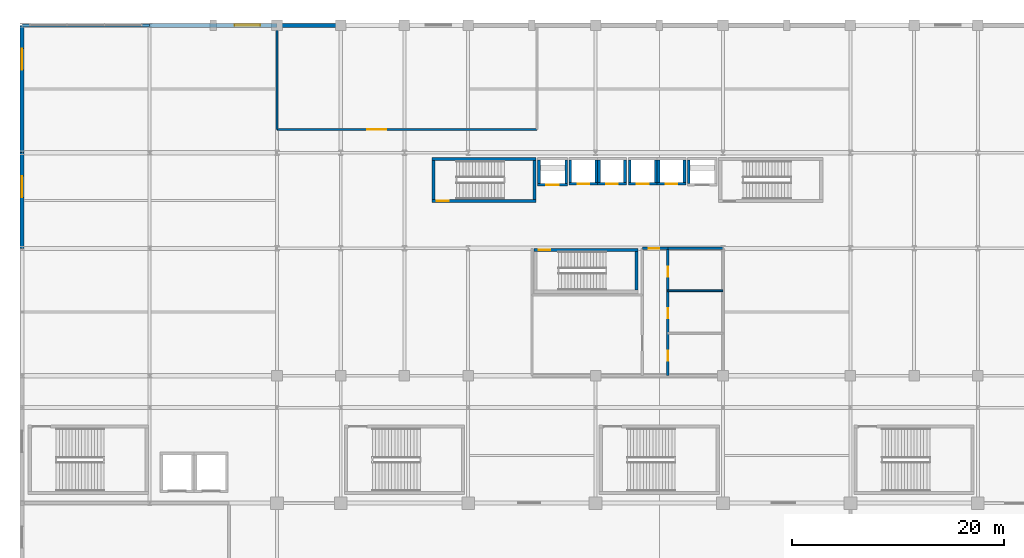
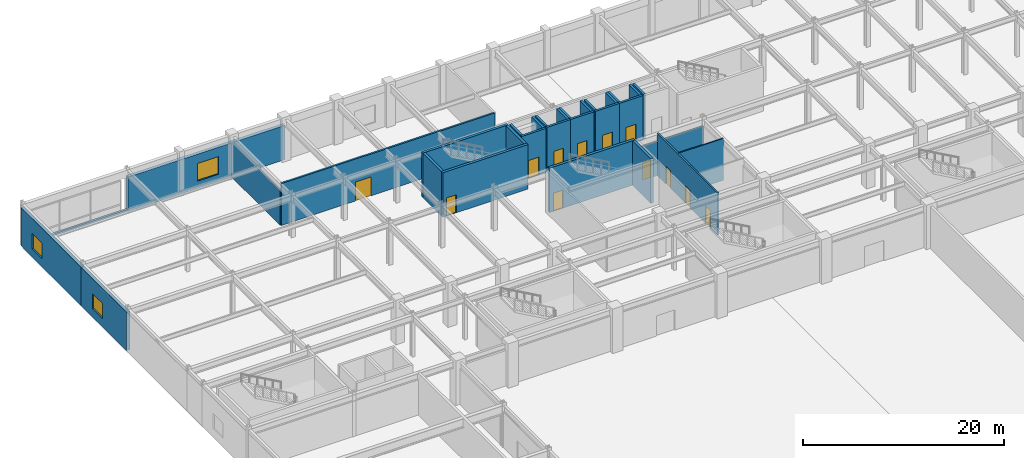
# One storey, part 84 of 100: 33 walls, 12 doors, 3 windows, 15 openings.
"""IFC4 building model written with IfcOpenShell, lengths in metres."""

import ifcopenshell
import ifcopenshell.guid

model = None  # the IFC model being written
_history = None  # IfcOwnerHistory: only IFC2X3 demands one
_inside = {}  # id of a spatial element -> (the spatial element, [elements in it])
_under = {}  # id of a project, library or spatial element -> (it, [spatial elements below it])
_declared = {}  # id of a project -> (the project, [libraries it declares])
_typed = {}  # id of a type object -> (the type object, [elements of that type])
_made_of = {}  # id of a material, layer set ... -> (it, [elements and type objects made of it])


def new_model(schema):
    """Start an empty IFC model of exactly this schema.

    Asked for "IFC4X3", IfcOpenShell would pick the latest addendum, in which some entities
    have other attributes; the version numbers below select the first issue.
    IFC2X3 requires an IfcOwnerHistory on every rooted entity: one is made here for all.
    """
    global model, _history
    if schema == "IFC4X3":
        model = ifcopenshell.file(schema_version=(4, 3, 0, 0))
    else:
        model = ifcopenshell.file(schema=schema)
    _inside.clear()
    _under.clear()
    _declared.clear()
    _typed.clear()
    _made_of.clear()
    _history = None
    if model.schema == "IFC2X3":
        org = make("IfcOrganization", Name="unknown")
        user = make(
            "IfcPersonAndOrganization",
            ThePerson=make("IfcPerson", FamilyName="unknown"),
            TheOrganization=org,
        )
        app = make(
            "IfcApplication",
            ApplicationDeveloper=org,
            Version="unknown",
            ApplicationFullName="unknown",
            ApplicationIdentifier="unknown",
        )
        _history = make(
            "IfcOwnerHistory",
            OwningUser=user,
            OwningApplication=app,
            ChangeAction="ADDED",
            CreationDate=0,
        )
    return model


def make(cls, **values):
    """One entity of the class cls with the attributes given. An attribute that is None is left unset."""
    return model.create_entity(
        cls, **{name: value for name, value in values.items() if value is not None}
    )


def rooted(cls, **values):
    """An entity with a GlobalId (a new one), such as an element, a storey or a relation."""
    return make(cls, GlobalId=ifcopenshell.guid.new(), OwnerHistory=_history, **values)


def si_unit(unit_type, name, prefix=None):
    """IfcSIUnit, for example si_unit("LENGTHUNIT", "METRE", prefix="MILLI")."""
    return make("IfcSIUnit", UnitType=unit_type, Prefix=prefix, Name=name)


def assignment(units):
    """IfcUnitAssignment: the units of a project."""
    return None if units is None else make("IfcUnitAssignment", Units=units)


def point(xyz):
    """IfcCartesianPoint."""
    return None if xyz is None else make("IfcCartesianPoint", Coordinates=xyz)


def direction(xyz):
    """IfcDirection."""
    return None if xyz is None else make("IfcDirection", DirectionRatios=xyz)


def frame(location, z_axis=None, x_axis=None):
    """IfcAxis2Placement3D, a coordinate frame: its origin and axes. An axis left out is left unset."""
    return make(
        "IfcAxis2Placement3D",
        Location=point(location),
        Axis=direction(z_axis),
        RefDirection=direction(x_axis),
    )


def frame_2d(location, x_axis=None):
    """IfcAxis2Placement2D, a coordinate frame in the plane: its origin and x axis."""
    return make(
        "IfcAxis2Placement2D", Location=point(location), RefDirection=direction(x_axis)
    )


def origin():
    """The frame at (0, 0, 0) with its axes left unset."""
    return frame((0.0, 0.0, 0.0))


def place(relative_to, where):
    """IfcLocalPlacement: puts the frame where relative to a parent placement (None: the world)."""
    return make(
        "IfcLocalPlacement", PlacementRelTo=relative_to, RelativePlacement=where
    )


def context(
    kind, dimensions, precision=None, world=None, true_north=None, identifier=None
):
    """IfcGeometricRepresentationContext, for example the 3D "Model" context."""
    return make(
        "IfcGeometricRepresentationContext",
        ContextIdentifier=identifier,
        ContextType=kind,
        CoordinateSpaceDimension=dimensions,
        Precision=precision,
        WorldCoordinateSystem=world,
        TrueNorth=true_north,
    )


def subcontext(parent, identifier, kind, view, scale=None):
    """IfcGeometricRepresentationSubContext, for example "Body" below "Model"."""
    return make(
        "IfcGeometricRepresentationSubContext",
        ContextIdentifier=identifier,
        ContextType=kind,
        ParentContext=parent,
        TargetScale=scale,
        TargetView=view,
    )


def project(units=None, contexts=None):
    """IfcProject with its units and contexts."""
    return rooted(
        "IfcProject",
        Name="project",
        RepresentationContexts=contexts,
        UnitsInContext=assignment(units),
    )


def spatial(cls, under=None, at=None, **own):
    """A site, building, storey or space (cls), placed at a placement, below another one or the project."""
    s = rooted(cls, ObjectPlacement=at, **own)
    if under is not None:
        _under.setdefault(under.id(), (under, []))[1].append(s)
    return s


def profile(cls, at=None, kind="AREA", **sizes):
    """A parametric profile (cls). Its sizes go by their IFC names, for example OverallWidth=200.0."""
    return make(cls, ProfileType=kind, Position=at, **sizes)


def rectangle(**sizes):
    """IfcRectangleProfileDef."""
    return profile("IfcRectangleProfileDef", **sizes)


def extrude(swept, where, along, depth):
    """IfcExtrudedAreaSolid: the profile swept, set in the frame where, extruded along a direction by depth."""
    return make(
        "IfcExtrudedAreaSolid",
        SweptArea=swept,
        Position=where,
        ExtrudedDirection=direction(along),
        Depth=depth,
    )


def shape(context_of_items, identifier, shape_type, items):
    """IfcShapeRepresentation: the items that make up one representation, for example the "Body"."""
    return make(
        "IfcShapeRepresentation",
        ContextOfItems=context_of_items,
        RepresentationIdentifier=identifier,
        RepresentationType=shape_type,
        Items=items,
    )


def material(Name=None, Category=None):
    """IfcMaterial."""
    return make("IfcMaterial", Name=Name, Category=Category)


def layer(
    of_material, thickness, ventilated=None, Name=None, Category=None, Priority=None
):
    """IfcMaterialLayer: one layer of a wall or slab, of a material (None: an air gap)."""
    return make(
        "IfcMaterialLayer",
        Material=of_material,
        LayerThickness=thickness,
        IsVentilated=ventilated,
        Name=Name,
        Category=Category,
        Priority=Priority,
    )


def layer_set(layers, Name=None):
    """IfcMaterialLayerSet."""
    return make("IfcMaterialLayerSet", MaterialLayers=layers, LayerSetName=Name)


def made_of(thing, what):
    """Note that an element or type object is made of a material, layer set ...; save() writes the relation."""
    if what is not None:
        _made_of.setdefault(what.id(), (what, []))[1].append(thing)
    return thing


def type_object(cls, material=None, **own):
    """A type object (cls), such as IfcWallType, which elements share."""
    return made_of(rooted(cls, **own), material)


def element(
    cls,
    number,
    at=None,
    inside=None,
    cuts=None,
    type_object=None,
    material=None,
    context=None,
    identifier="Body",
    shape_type=None,
    held_by="IfcProductDefinitionShape",
    body=None,
    shapes=None,
    **own,
):
    """One element of the class cls, such as IfcWall. Its Tag is "e" and its number.

    at: its placement. inside: the storey or other place that contains it. cuts: it is an
    opening in that element (IfcRelVoidsElement). A single representation is given by context,
    identifier, shape_type and body (its items); several are given by shapes. held_by: the class
    of the entity that holds the representations. save() writes the other relations.
    """
    e = rooted(cls, Tag="e%d" % number, ObjectPlacement=at, **own)
    if body is not None:
        shapes = [shape(context, identifier, shape_type, body)]
    if shapes is not None:
        e.Representation = make(held_by, Representations=shapes)
    if inside is not None:
        _inside.setdefault(inside.id(), (inside, []))[1].append(e)
    if cuts is not None:
        rooted(
            "IfcRelVoidsElement", RelatingBuildingElement=cuts, RelatedOpeningElement=e
        )
    if type_object is not None:
        _typed.setdefault(type_object.id(), (type_object, []))[1].append(e)
    return made_of(e, material)


def fill(opening, filler):
    """IfcRelFillsElement: the door or window that sits in an opening."""
    return rooted(
        "IfcRelFillsElement",
        RelatingOpeningElement=opening,
        RelatedBuildingElement=filler,
    )


def aggregate(whole, parts):
    """IfcRelAggregates: a whole, such as a stair, and the parts it consists of."""
    return rooted("IfcRelAggregates", RelatingObject=whole, RelatedObjects=parts)


def save(model, path):
    """Write the relations noted so far, then the file.

    IfcRelAggregates (storeys below a building ...), IfcRelContainedInSpatialStructure (elements
    in a storey), IfcRelDefinesByType, IfcRelAssociatesMaterial and IfcRelDeclares: one each for
    every whole, place, type object, material and project.
    """
    for whole, parts in _under.values():
        aggregate(whole, parts)
    for where, things in _inside.values():
        rooted(
            "IfcRelContainedInSpatialStructure",
            RelatedElements=things,
            RelatingStructure=where,
        )
    for kind, things in _typed.values():
        rooted("IfcRelDefinesByType", RelatedObjects=things, RelatingType=kind)
    for what, things in _made_of.values():
        rooted("IfcRelAssociatesMaterial", RelatedObjects=things, RelatingMaterial=what)
    for by, libraries in _declared.values():
        rooted("IfcRelDeclares", RelatingContext=by, RelatedDefinitions=libraries)
    model.write(path)


model = new_model("IFC4")

# Units and contexts
model_context = context("Model", 3, precision=1e-05, world=origin(), true_north=direction((0.0, 1.0)))
body_context = subcontext(model_context, "Body", "Model", "MODEL_VIEW")
ifc_project = project(units=[si_unit("LENGTHUNIT", "METRE"), si_unit("AREAUNIT", "SQUARE_METRE"), si_unit("VOLUMEUNIT", "CUBIC_METRE"), si_unit("PLANEANGLEUNIT", "RADIAN"), si_unit("MASSUNIT", "GRAM", prefix="KILO")], contexts=[model_context])

# Site, building, storey
site_placement = place(None, origin())
site = spatial("IfcSite", under=ifc_project, at=site_placement, CompositionType="ELEMENT")
building_placement = place(site_placement, origin())
building = spatial("IfcBuilding", under=site, at=building_placement, Name="Kaldorvane Square Convention Centre", CompositionType="ELEMENT")
storey_placement = place(building_placement, frame((0.0, 0.0, 18.0)))
storey = spatial("IfcBuildingStorey", under=building, at=storey_placement, Name="L03", CompositionType="ELEMENT", Elevation=18.0)

# Wall, opening, door
ifc_material_1 = material(Name="Fire-Rated Gypsum Board on Acoustic Steel Studs", Category="steel")
ifc_layer_1 = layer(ifc_material_1, 0.1999969482421875)
ifc_layer_set_1 = layer_set([ifc_layer_1], Name="Fire-Rated Gypsum Board on Acoustic Steel Studs")
wall_type_1 = type_object("IfcWallType", Name="WL-CORR-200", PredefinedType="PARTITIONING", material=ifc_layer_set_1)
wall_1_placement = place(storey_placement, frame((58.399993896484375, 96.0, 0.0), z_axis=(0.0, 0.0, 1.0), x_axis=(1.0, 0.0, 0.0)))
wall_1 = element("IfcWall", 1, at=wall_1_placement, inside=storey, type_object=wall_type_1, Name="Restroom Vestibule Entry Header (L03)", PredefinedType="PARTITIONING", context=body_context, shape_type="SweptSolid", body=[
    extrude(rectangle(XDim=2.4000091552734375, YDim=0.1999969482421875, at=frame_2d((1.20001220703125, 0.0))), origin(), (0.0, 0.0, 1.0), 4.1490020751953125),
])
opening_1_placement = place(wall_1_placement, frame((0.625, 0.0, 0.0)))
opening_1 = element("IfcOpeningElement", 2, at=opening_1_placement, cuts=wall_1, Name="Opening ID-13", PredefinedType="OPENING", context=body_context, shape_type="SweptSolid", body=[
    extrude(rectangle(XDim=0.9499969482421875, YDim=2.149993896484375, at=frame_2d((0.475006103515625, 1.0749969482421875))), frame((0.0, 0.114990234375, 0.0), z_axis=(0.0, -1.0, 0.0), x_axis=(1.0, 0.0, 0.0)), (0.0, 0.0, 1.0), 0.2299957275390625),
])
ifc_material_2 = material(Name="Architectural Solid-Core White Oak")
door_type_1 = type_object("IfcDoorType", Name="DR-WC-0950X2150", OperationType="SINGLE_SWING_LEFT", PredefinedType="DOOR", material=ifc_material_2)
door_1_placement = place(opening_1_placement, origin())
door_1 = element("IfcDoor", 3, at=door_1_placement, inside=storey, type_object=door_type_1, Name="Restroom Vestibule Door (L03)", OperationType="SINGLE_SWING_LEFT", OverallHeight=2.149993896484375, OverallWidth=0.9499969482421875, PredefinedType="DOOR", context=body_context, shape_type="SweptSolid", body=[
    extrude(rectangle(XDim=0.9499969482421875, YDim=2.149993896484375, at=frame_2d((0.475006103515625, 1.0749969482421875))), frame((0.0, 0.024993896484375, 0.0), z_axis=(0.0, -1.0, 0.0), x_axis=(1.0, 0.0, 0.0)), (0.0, 0.0, 1.0), 0.0500030517578125),
])
fill(opening_1, door_1)

# Wall, openings, doors
wall_2_placement = place(storey_placement, frame((60.80000305175781, 84.0, 0.0), z_axis=(0.0, 0.0, 1.0), x_axis=(0.0, 1.0, 0.0)))
wall_2 = element("IfcWall", 4, at=wall_2_placement, inside=storey, type_object=wall_type_1, Name="Restroom Vestibule East Wall (L03)", PredefinedType="PARTITIONING", context=body_context, shape_type="SweptSolid", body=[
    extrude(rectangle(XDim=12.0, YDim=0.1999969482421875, at=frame_2d((6.0, 0.0))), origin(), (0.0, 0.0, 1.0), 5.0800018310546875),
])
opening_2_placement = place(wall_2_placement, frame((1.399993896484375, 0.0, 0.0)))
opening_2 = element("IfcOpeningElement", 5, at=opening_2_placement, cuts=wall_2, Name="Opening ID-13", PredefinedType="OPENING", context=body_context, shape_type="SweptSolid", body=[
    extrude(rectangle(XDim=0.9499969482421875, YDim=2.149993896484375, at=frame_2d((0.475006103515625, 1.0749969482421875))), frame((0.0, 0.114990234375, 0.0), z_axis=(0.0, -1.0, 0.0), x_axis=(1.0, 0.0, 0.0)), (0.0, 0.0, 1.0), 0.2299957275390625),
])
opening_3_placement = place(wall_2_placement, frame((5.399993896484375, 0.0, 0.0)))
opening_3 = element("IfcOpeningElement", 6, at=opening_3_placement, cuts=wall_2, Name="Opening ID-13", PredefinedType="OPENING", context=body_context, shape_type="SweptSolid", body=[
    extrude(rectangle(XDim=0.9499969482421875, YDim=2.149993896484375, at=frame_2d((0.475006103515625, 1.0749969482421875))), frame((0.0, 0.114990234375, 0.0), z_axis=(0.0, -1.0, 0.0), x_axis=(1.0, 0.0, 0.0)), (0.0, 0.0, 1.0), 0.2299957275390625),
])
opening_4_placement = place(wall_2_placement, frame((9.300003051757812, 0.0, 0.0)))
opening_4 = element("IfcOpeningElement", 7, at=opening_4_placement, cuts=wall_2, Name="Opening ID-13", PredefinedType="OPENING", context=body_context, shape_type="SweptSolid", body=[
    extrude(rectangle(XDim=0.9499969482421875, YDim=2.149993896484375, at=frame_2d((0.475006103515625, 1.0749969482421875))), frame((0.0, 0.114990234375, 0.0), z_axis=(0.0, -1.0, 0.0), x_axis=(1.0, 0.0, 0.0)), (0.0, 0.0, 1.0), 0.2299957275390625),
])
door_2_placement = place(opening_2_placement, origin())
door_2 = element("IfcDoor", 8, at=door_2_placement, inside=storey, type_object=door_type_1, Name="Accessible Restroom Door (L03)", OperationType="SINGLE_SWING_LEFT", OverallHeight=2.149993896484375, OverallWidth=0.9499969482421875, PredefinedType="DOOR", context=body_context, shape_type="SweptSolid", body=[
    extrude(rectangle(XDim=0.9499969482421875, YDim=2.149993896484375, at=frame_2d((0.475006103515625, 1.0749969482421875))), frame((0.0, 0.024993896484375, 0.0), z_axis=(0.0, -1.0, 0.0), x_axis=(1.0, 0.0, 0.0)), (0.0, 0.0, 1.0), 0.0500030517578125),
])
fill(opening_2, door_2)
door_3_placement = place(opening_3_placement, origin())
door_3 = element("IfcDoor", 9, at=door_3_placement, inside=storey, type_object=door_type_1, Name="Men's Restroom Door (L03)", OperationType="SINGLE_SWING_LEFT", OverallHeight=2.149993896484375, OverallWidth=0.9499969482421875, PredefinedType="DOOR", context=body_context, shape_type="SweptSolid", body=[
    extrude(rectangle(XDim=0.9499969482421875, YDim=2.149993896484375, at=frame_2d((0.475006103515625, 1.0749969482421875))), frame((0.0, 0.024993896484375, 0.0), z_axis=(0.0, -1.0, 0.0), x_axis=(1.0, 0.0, 0.0)), (0.0, 0.0, 1.0), 0.0500030517578125),
])
fill(opening_3, door_3)
door_4_placement = place(opening_4_placement, origin())
door_4 = element("IfcDoor", 10, at=door_4_placement, inside=storey, type_object=door_type_1, Name="Women's Restroom Door (L03)", OperationType="SINGLE_SWING_LEFT", OverallHeight=2.149993896484375, OverallWidth=0.9499969482421875, PredefinedType="DOOR", context=body_context, shape_type="SweptSolid", body=[
    extrude(rectangle(XDim=0.9499969482421875, YDim=2.149993896484375, at=frame_2d((0.475006103515625, 1.0749969482421875))), frame((0.0, 0.024993896484375, 0.0), z_axis=(0.0, -1.0, 0.0), x_axis=(1.0, 0.0, 0.0)), (0.0, 0.0, 1.0), 0.0500030517578125),
])
fill(opening_4, door_4)

# Wall
wall_3_placement = place(storey_placement, frame((60.80000305175781, 96.0, 0.0), z_axis=(0.0, 0.0, 1.0), x_axis=(1.0, 0.0, 0.0)))
element("IfcWall", 11, at=wall_3_placement, inside=storey, type_object=wall_type_1, Name="Restroom North Wall (L03)", PredefinedType="PARTITIONING", context=body_context, shape_type="SweptSolid", body=[
    extrude(rectangle(XDim=5.1999969482421875, YDim=0.1999969482421875, at=frame_2d((2.600006103515625, 0.0))), origin(), (0.0, 0.0, 1.0), 4.1490020751953125),
])

# Wall, opening, door
wall_4_placement = place(storey_placement, frame((24.0, 107.19999694824219, 0.0), z_axis=(0.0, 0.0, 1.0), x_axis=(1.0, 0.0, 0.0)))
wall_4 = element("IfcWall", 12, at=wall_4_placement, inside=storey, type_object=wall_type_1, Name="Hotel Executive Business Centre S Wall", PredefinedType="PARTITIONING", context=body_context, shape_type="SweptSolid", body=[
    extrude(rectangle(XDim=24.5, YDim=0.1999969482421875, at=frame_2d((12.25, 0.0))), origin(), (0.0, 0.0, 1.0), 5.0800018310546875),
])
opening_5_placement = place(wall_4_placement, frame((8.5, 0.0, 0.0)))
opening_5 = element("IfcOpeningElement", 13, at=opening_5_placement, cuts=wall_4, Name="Opening ID-06", PredefinedType="OPENING", context=body_context, shape_type="SweptSolid", body=[
    extrude(rectangle(XDim=1.8000030517578125, YDim=2.3000030517578125, at=frame_2d((0.899993896484375, 1.149993896484375))), frame((0.0, 0.114990234375, 0.0), z_axis=(0.0, -1.0, 0.0), x_axis=(1.0, 0.0, 0.0)), (0.0, 0.0, 1.0), 0.2299957275390625),
])
door_type_2 = type_object("IfcDoorType", Name="DR-MEET-1800X2300", OperationType="DOUBLE_DOOR_SINGLE_SWING", PredefinedType="DOOR", material=ifc_material_2)
door_5_placement = place(opening_5_placement, origin())
door_5 = element("IfcDoor", 14, at=door_5_placement, inside=storey, type_object=door_type_2, Name="Hotel Executive Business Centre Door 1", OperationType="DOUBLE_DOOR_SINGLE_SWING", OverallHeight=2.3000030517578125, OverallWidth=1.8000030517578125, PredefinedType="DOOR", context=body_context, shape_type="SweptSolid", body=[
    extrude(rectangle(XDim=1.8000030517578125, YDim=2.3000030517578125, at=frame_2d((0.899993896484375, 1.149993896484375))), frame((0.0, 0.024993896484375, 0.0), z_axis=(0.0, -1.0, 0.0), x_axis=(1.0, 0.0, 0.0)), (0.0, 0.0, 1.0), 0.0500030517578125),
])
fill(opening_5, door_5)

# Wall
wall_5_placement = place(storey_placement, frame((24.0, 116.80999755859375, 0.0), z_axis=(0.0, 0.0, 1.0), x_axis=(0.0, -1.0, 0.0)))
element("IfcWall", 15, at=wall_5_placement, inside=storey, type_object=wall_type_1, Name="Hotel Executive Business Centre W Wall", PredefinedType="PARTITIONING", context=body_context, shape_type="SweptSolid", body=[
    extrude(rectangle(XDim=9.610000610351562, YDim=0.1999969482421875, at=frame_2d((4.80499267578125, 0.0))), origin(), (0.0, 0.0, 1.0), 4.2299957275390625),
])

# Wall, opening, window
ifc_material_3 = material(Name="Concrete f'c = 42 MPa (Normalweight)", Category="concrete")
ifc_layer_2 = layer(ifc_material_3, 0.3800048828125)
ifc_layer_set_2 = layer_set([ifc_layer_2], Name="Concrete f'c = 42 MPa (Normalweight)")
wall_type_2 = type_object("IfcWallType", Name="WL-EXT-380", PredefinedType="STANDARD", material=ifc_layer_set_2)
wall_6_placement = place(storey_placement, frame((24.0, 117.0, 0.0), z_axis=(0.0, 0.0, 1.0), x_axis=(-1.0, 0.0, 0.0)))
wall_6 = element("IfcWall", 16, at=wall_6_placement, inside=storey, type_object=wall_type_2, Name="North Square Brutalist Facade Wall (L03)", PredefinedType="STANDARD", context=body_context, shape_type="SweptSolid", body=[
    extrude(rectangle(XDim=12.0, YDim=0.3800048828125, at=frame_2d((6.0, 0.0))), origin(), (0.0, 0.0, 1.0), 4.175994873046875),
])
opening_6_placement = place(wall_6_placement, frame((1.600006103515625, 0.0, 0.899993896484375)))
opening_6 = element("IfcOpeningElement", 17, at=opening_6_placement, cuts=wall_6, Name="Opening W-19", PredefinedType="OPENING", context=body_context, shape_type="SweptSolid", body=[
    extrude(rectangle(XDim=2.399993896484375, YDim=2.149993896484375, at=frame_2d((1.1999969482421875, 1.0749969482421875))), frame((0.0, 0.2050018310546875, 0.0), z_axis=(0.0, -1.0, 0.0), x_axis=(1.0, 0.0, 0.0)), (0.0, 0.0, 1.0), 0.410003662109375),
])
ifc_material_4 = material(Name="Anodized Aluminum and Low-E Insulated Glazing", Category="aluminium")
window_type_1 = type_object("IfcWindowType", Name="WN-POD-2400X2150", PartitioningType="DOUBLE_PANEL_VERTICAL", PredefinedType="WINDOW", material=ifc_material_4)
window_1_placement = place(opening_6_placement, origin())
window_1 = element("IfcWindow", 18, at=window_1_placement, inside=storey, type_object=window_type_1, Name="North Facade Window (L03)", OverallHeight=2.149993896484375, OverallWidth=2.399993896484375, PartitioningType="DOUBLE_PANEL_VERTICAL", PredefinedType="WINDOW", context=body_context, shape_type="SweptSolid", body=[
    extrude(rectangle(XDim=2.399993896484375, YDim=2.149993896484375, at=frame_2d((1.1999969482421875, 1.0749969482421875))), frame((0.0, 0.029998779296875, 0.0), z_axis=(0.0, -1.0, 0.0), x_axis=(1.0, 0.0, 0.0)), (0.0, 0.0, 1.0), 0.05999755859375),
])
fill(opening_6, window_1)

# Wall
wall_7_placement = place(storey_placement, frame((30.0, 117.0, 0.0), z_axis=(0.0, 0.0, 1.0), x_axis=(-1.0, 0.0, 0.0)))
element("IfcWall", 19, at=wall_7_placement, inside=storey, type_object=wall_type_2, Name="North Square Brutalist Facade Wall (L03)", PredefinedType="STANDARD", context=body_context, shape_type="SweptSolid", body=[
    extrude(rectangle(XDim=6.0, YDim=0.3800048828125, at=frame_2d((3.0, 0.0))), origin(), (0.0, 0.0, 1.0), 4.175994873046875),
])

# Wall, opening, window
wall_8_placement = place(storey_placement, frame((0.0, 105.0, 0.0), z_axis=(0.0, 0.0, 1.0), x_axis=(0.0, -1.0, 0.0)))
wall_8 = element("IfcWall", 20, at=wall_8_placement, inside=storey, type_object=wall_type_2, Name="West Brutalist Facade Wall (L03)", PredefinedType="STANDARD", context=body_context, shape_type="SweptSolid", body=[
    extrude(rectangle(XDim=9.0, YDim=0.3800048828125, at=frame_2d((4.5, 0.0))), origin(), (0.0, 0.0, 1.0), 4.66900634765625),
])
opening_7_placement = place(wall_8_placement, frame((2.1999969482421875, 0.0, 1.0)))
opening_7 = element("IfcOpeningElement", 21, at=opening_7_placement, cuts=wall_8, Name="Opening W-21", PredefinedType="OPENING", context=body_context, shape_type="SweptSolid", body=[
    extrude(rectangle(XDim=2.0, YDim=1.850006103515625, at=frame_2d((1.0, 0.9250030517578125))), frame((0.0, 0.2050018310546875, 0.0), z_axis=(0.0, -1.0, 0.0), x_axis=(1.0, 0.0, 0.0)), (0.0, 0.0, 1.0), 0.410003662109375),
])
window_type_2 = type_object("IfcWindowType", Name="WN-POD-2000X1850", PartitioningType="DOUBLE_PANEL_VERTICAL", PredefinedType="WINDOW", material=ifc_material_4)
window_2_placement = place(opening_7_placement, origin())
window_2 = element("IfcWindow", 22, at=window_2_placement, inside=storey, type_object=window_type_2, Name="West Facade Window (L03)", OverallHeight=1.850006103515625, OverallWidth=2.0, PartitioningType="DOUBLE_PANEL_VERTICAL", PredefinedType="WINDOW", context=body_context, shape_type="SweptSolid", body=[
    extrude(rectangle(XDim=2.0, YDim=1.850006103515625, at=frame_2d((1.0, 0.9250030517578125))), frame((0.0, 0.029998779296875, 0.0), z_axis=(0.0, -1.0, 0.0), x_axis=(1.0, 0.0, 0.0)), (0.0, 0.0, 1.0), 0.05999755859375),
])
fill(opening_7, window_2)

wall_9_placement = place(storey_placement, frame((0.0, 117.0, 0.0), z_axis=(0.0, 0.0, 1.0), x_axis=(0.0, -1.0, 0.0)))
wall_9 = element("IfcWall", 23, at=wall_9_placement, inside=storey, type_object=wall_type_2, Name="West Brutalist Facade Wall (L03)", PredefinedType="STANDARD", context=body_context, shape_type="SweptSolid", body=[
    extrude(rectangle(XDim=12.0, YDim=0.3800048828125, at=frame_2d((6.0, 0.0))), origin(), (0.0, 0.0, 1.0), 4.66900634765625),
])
opening_8_placement = place(wall_9_placement, frame((2.1999969482421875, 0.0, 1.0)))
opening_8 = element("IfcOpeningElement", 24, at=opening_8_placement, cuts=wall_9, Name="Opening W-21", PredefinedType="OPENING", context=body_context, shape_type="SweptSolid", body=[
    extrude(rectangle(XDim=2.0, YDim=1.850006103515625, at=frame_2d((1.0, 0.9250030517578125))), frame((0.0, 0.2050018310546875, 0.0), z_axis=(0.0, -1.0, 0.0), x_axis=(1.0, 0.0, 0.0)), (0.0, 0.0, 1.0), 0.410003662109375),
])
window_3_placement = place(opening_8_placement, origin())
window_3 = element("IfcWindow", 25, at=window_3_placement, inside=storey, type_object=window_type_2, Name="West Facade Window (L03)", OverallHeight=1.850006103515625, OverallWidth=2.0, PartitioningType="DOUBLE_PANEL_VERTICAL", PredefinedType="WINDOW", context=body_context, shape_type="SweptSolid", body=[
    extrude(rectangle(XDim=2.0, YDim=1.850006103515625, at=frame_2d((1.0, 0.9250030517578125))), frame((0.0, 0.029998779296875, 0.0), z_axis=(0.0, -1.0, 0.0), x_axis=(1.0, 0.0, 0.0)), (0.0, 0.0, 1.0), 0.05999755859375),
])
fill(opening_8, window_3)

# Walls
ifc_material_5 = material(Name="Concrete f'c = 35 MPa (Normalweight)", Category="concrete")
ifc_layer_3 = layer(ifc_material_5, 0.279998779296875)
ifc_layer_set_3 = layer_set([ifc_layer_3], Name="Concrete f'c = 35 MPa (Normalweight)")
wall_type_3 = type_object("IfcWallType", Name="WL-PAR-280", PredefinedType="PARAPET", material=ifc_layer_set_3)
wall_10_placement = place(storey_placement, frame((12.0, 117.0, 0.0), z_axis=(0.0, 0.0, 1.0), x_axis=(-1.0, 0.0, 0.0)))
element("IfcWall", 26, at=wall_10_placement, inside=storey, type_object=wall_type_3, Name="North Curtain-Wall Sill Kerb (L03)", PredefinedType="PARAPET", context=body_context, shape_type="SweptSolid", body=[
    extrude(rectangle(XDim=12.0, YDim=0.279998779296875, at=frame_2d((6.0, 0.0))), origin(), (0.0, 0.0, 1.0), 0.1999969482421875),
])
ifc_layer_4 = layer(ifc_material_1, 0.149993896484375)
ifc_layer_set_4 = layer_set([ifc_layer_4], Name="Fire-Rated Gypsum Board on Acoustic Steel Studs")
wall_type_4 = type_object("IfcWallType", Name="WL-PART-150", PredefinedType="PARTITIONING", material=ifc_layer_set_4)
wall_11_placement = place(storey_placement, frame((60.80000305175781, 92.0, 0.0), z_axis=(0.0, 0.0, 1.0), x_axis=(1.0, 0.0, 0.0)))
element("IfcWall", 27, at=wall_11_placement, inside=storey, type_object=wall_type_4, Name="Restroom Partition 2 (L03)", PredefinedType="PARTITIONING", context=body_context, shape_type="SweptSolid", body=[
    extrude(rectangle(XDim=5.1999969482421875, YDim=0.149993896484375, at=frame_2d((2.600006103515625, 0.0))), origin(), (0.0, 0.0, 1.0), 5.0800018310546875),
])

# Wall, opening, door
ifc_material_6 = material(Name="Concrete f'c = 55 MPa (Normalweight)", Category="concrete")
ifc_layer_5 = layer(ifc_material_6, 0.3000030517578125)
ifc_layer_set_5 = layer_set([ifc_layer_5], Name="Concrete f'c = 55 MPa (Normalweight)")
wall_type_5 = type_object("IfcWallType", Name="WL-SHAFT-300", PredefinedType="SHEAR", material=ifc_layer_set_5)
wall_12_placement = place(storey_placement, frame((38.600006103515625, 100.46000671386719, 0.0), z_axis=(0.0, 0.0, 1.0), x_axis=(1.0, 0.0, 0.0)))
wall_12 = element("IfcWall", 28, at=wall_12_placement, inside=storey, type_object=wall_type_5, Name="Core Enclosure Wall stair:ST-T1-S (L03)", PredefinedType="SHEAR", context=body_context, shape_type="SweptSolid", body=[
    extrude(rectangle(XDim=9.79998779296875, YDim=0.3000030517578125, at=frame_2d((4.899993896484375, 0.0))), origin(), (0.0, 0.0, 1.0), 5.399993896484375),
])
opening_9_placement = place(wall_12_placement, frame((0.4499969482421875, 0.0, 0.0)))
opening_9 = element("IfcOpeningElement", 29, at=opening_9_placement, cuts=wall_12, Name="Opening FD90-S1", PredefinedType="OPENING", context=body_context, shape_type="SweptSolid", body=[
    extrude(rectangle(XDim=1.100006103515625, YDim=2.1999969482421875, at=frame_2d((0.5500030517578125, 1.100006103515625))), frame((0.0, 0.165008544921875, 0.0), z_axis=(0.0, -1.0, 0.0), x_axis=(1.0, 0.0, 0.0)), (0.0, 0.0, 1.0), 0.3300018310546875),
])
ifc_material_7 = material(Name="Fire-Rated Hollow Metal Steel", Category="steel")
door_type_3 = type_object("IfcDoorType", Name="DR-STAIR-1100", OperationType="SINGLE_SWING_RIGHT", PredefinedType="DOOR", material=ifc_material_7)
door_6_placement = place(opening_9_placement, origin())
door_6 = element("IfcDoor", 30, at=door_6_placement, inside=storey, type_object=door_type_3, Name="Tower Exit Stair T1 Fire Door (L03)", OperationType="SINGLE_SWING_RIGHT", OverallHeight=2.1999969482421875, OverallWidth=1.100006103515625, PredefinedType="DOOR", context=body_context, shape_type="SweptSolid", body=[
    extrude(rectangle(XDim=1.100006103515625, YDim=2.1999969482421875, at=frame_2d((0.5500030517578125, 1.100006103515625))), frame((0.0, 0.024993896484375, 0.0), z_axis=(0.0, -1.0, 0.0), x_axis=(1.0, 0.0, 0.0)), (0.0, 0.0, 1.0), 0.0500030517578125),
])
fill(opening_9, door_6)

# Walls
wall_13_placement = place(storey_placement, frame((48.399993896484375, 104.39999389648438, 0.0), z_axis=(0.0, 0.0, 1.0), x_axis=(-1.0, 0.0, 0.0)))
element("IfcWall", 31, at=wall_13_placement, inside=storey, type_object=wall_type_5, Name="Core Enclosure Wall stair:ST-T1-N (L03)", PredefinedType="SHEAR", context=body_context, shape_type="SweptSolid", body=[
    extrude(rectangle(XDim=9.79998779296875, YDim=0.3000030517578125, at=frame_2d((4.899993896484375, 0.0))), origin(), (0.0, 0.0, 1.0), 5.399993896484375),
])
for number, where, z_axis, x_axis, name in (
    (32, (38.75, 104.25, 0.0), (0.0, 0.0, 1.0), (0.0, -1.0, 0.0), "Core Enclosure Wall stair:ST-T1-W (L03)"),
    (33, (48.25, 100.61000061035156, 0.0), (0.0, 0.0, 1.0), (0.0, 1.0, 0.0), "Core Enclosure Wall stair:ST-T1-E (L03)"),
):
    element("IfcWall", number, at=place(storey_placement, frame(where, z_axis=z_axis, x_axis=x_axis)), inside=storey, type_object=wall_type_5, Name=name, PredefinedType="SHEAR", context=body_context, shape_type="SweptSolid", body=[
        extrude(rectangle(XDim=3.6399993896484375, YDim=0.3000030517578125, at=frame_2d((1.82000732421875, 0.0))), origin(), (0.0, 0.0, 1.0), 5.399993896484375),
    ])

# Wall, opening, door
wall_14_placement = place(storey_placement, frame((58.0, 95.85000610351562, 0.0), z_axis=(0.0, 0.0, 1.0), x_axis=(-1.0, 0.0, 0.0)))
wall_14 = element("IfcWall", 34, at=wall_14_placement, inside=storey, type_object=wall_type_5, Name="Core Enclosure Wall stair:ST-T3-N (L03)", PredefinedType="SHEAR", context=body_context, shape_type="SweptSolid", body=[
    extrude(rectangle(XDim=9.800003051757812, YDim=0.3000030517578125, at=frame_2d((4.899993896484375, 0.0))), origin(), (0.0, 0.0, 1.0), 5.399993896484375),
])
opening_10_placement = place(wall_14_placement, frame((8.25, 0.0, 0.0)))
opening_10 = element("IfcOpeningElement", 35, at=opening_10_placement, cuts=wall_14, Name="Opening FD90-S1", PredefinedType="OPENING", context=body_context, shape_type="SweptSolid", body=[
    extrude(rectangle(XDim=1.100006103515625, YDim=2.1999969482421875, at=frame_2d((0.5500030517578125, 1.100006103515625))), frame((0.0, 0.165008544921875, 0.0), z_axis=(0.0, -1.0, 0.0), x_axis=(1.0, 0.0, 0.0)), (0.0, 0.0, 1.0), 0.3300018310546875),
])
door_7_placement = place(opening_10_placement, origin())
door_7 = element("IfcDoor", 36, at=door_7_placement, inside=storey, type_object=door_type_3, Name="Tower Exit Stair T3 Fire Door (L03)", OperationType="SINGLE_SWING_RIGHT", OverallHeight=2.1999969482421875, OverallWidth=1.100006103515625, PredefinedType="DOOR", context=body_context, shape_type="SweptSolid", body=[
    extrude(rectangle(XDim=1.100006103515625, YDim=2.1999969482421875, at=frame_2d((0.5500030517578125, 1.100006103515625))), frame((0.0, 0.024993896484375, 0.0), z_axis=(0.0, -1.0, 0.0), x_axis=(1.0, 0.0, 0.0)), (0.0, 0.0, 1.0), 0.0500030517578125),
])
fill(opening_10, door_7)

# Wall
wall_15_placement = place(storey_placement, frame((57.850006103515625, 92.05999755859375, 0.0), z_axis=(0.0, 0.0, 1.0), x_axis=(0.0, 1.0, 0.0)))
element("IfcWall", 37, at=wall_15_placement, inside=storey, type_object=wall_type_5, Name="Core Enclosure Wall stair:ST-T3-E (L03)", PredefinedType="SHEAR", context=body_context, shape_type="SweptSolid", body=[
    extrude(rectangle(XDim=3.6399993896484375, YDim=0.3000030517578125, at=frame_2d((1.82000732421875, 0.0))), origin(), (0.0, 0.0, 1.0), 5.399993896484375),
])

# Wall, opening, door
wall_16_placement = place(storey_placement, frame((48.55000305175781, 101.97500610351562, 0.0), z_axis=(0.0, 0.0, 1.0), x_axis=(1.0, 0.0, 0.0)))
wall_16 = element("IfcWall", 38, at=wall_16_placement, inside=storey, type_object=wall_type_5, Name="Core Enclosure Wall lift:FSAE-01-S (L03)", PredefinedType="SHEAR", context=body_context, shape_type="SweptSolid", body=[
    extrude(rectangle(XDim=2.8000030517578125, YDim=0.25, at=frame_2d((1.399993896484375, 0.0))), origin(), (0.0, 0.0, 1.0), 5.399993896484375),
])
opening_11_placement = place(wall_16_placement, frame((0.8000030517578125, 0.0, 0.0)))
opening_11 = element("IfcOpeningElement", 39, at=opening_11_placement, cuts=wall_16, Name="Opening LD-02", PredefinedType="OPENING", context=body_context, shape_type="SweptSolid", body=[
    extrude(rectangle(XDim=1.1999969482421875, YDim=2.1999969482421875, at=frame_2d((0.600006103515625, 1.100006103515625))), frame((0.0, 0.1399993896484375, 0.0), z_axis=(0.0, -1.0, 0.0), x_axis=(1.0, 0.0, 0.0)), (0.0, 0.0, 1.0), 0.279998779296875),
])
ifc_material_8 = material(Name="Stainless Steel Elevator Door Assembly", Category="steel")
door_type_4 = type_object("IfcDoorType", Name="DR-LIFT-1200", OperationType="DOUBLE_DOOR_SLIDING", PredefinedType="DOOR", material=ifc_material_8)
door_8_placement = place(opening_11_placement, origin())
door_8 = element("IfcDoor", 40, at=door_8_placement, inside=storey, type_object=door_type_4, Name="Elevator Landing Door FSAE-01 (L03)", OperationType="DOUBLE_DOOR_SLIDING", OverallHeight=2.1999969482421875, OverallWidth=1.1999969482421875, PredefinedType="DOOR", context=body_context, shape_type="SweptSolid", body=[
    extrude(rectangle(XDim=1.1999969482421875, YDim=2.1999969482421875, at=frame_2d((0.600006103515625, 1.100006103515625))), frame((0.0, 0.024993896484375, 0.0), z_axis=(0.0, -1.0, 0.0), x_axis=(1.0, 0.0, 0.0)), (0.0, 0.0, 1.0), 0.0500030517578125),
])
fill(opening_11, door_8)

# Walls
for number, where, z_axis, x_axis, name in (
    (41, (48.67500305175781, 104.30000305175781, 0.0), (0.0, 0.0, 1.0), (0.0, -1.0, 0.0), "Core Enclosure Wall lift:FSAE-01-W (L03)"),
    (42, (51.225006103515625, 102.10000610351562, 0.0), (0.0, 0.0, 1.0), (0.0, 1.0, 0.0), "Core Enclosure Wall lift:FSAE-01-E (L03)"),
    (43, (62.774993896484375, 104.30000305175781, 0.0), (0.0, 0.0, 1.0), (0.0, -1.0, 0.0), "Core Enclosure Wall lift:FSAE-02-W (L03)"),
):
    element("IfcWall", number, at=place(storey_placement, frame(where, z_axis=z_axis, x_axis=x_axis)), inside=storey, type_object=wall_type_5, Name=name, PredefinedType="SHEAR", context=body_context, shape_type="SweptSolid", body=[
        extrude(rectangle(XDim=2.1999969482421875, YDim=0.25, at=frame_2d((1.100006103515625, 0.0))), origin(), (0.0, 0.0, 1.0), 5.399993896484375),
    ])

# Wall, opening, door
wall_17_placement = place(storey_placement, frame((51.5, 102.07499694824219, 0.0), z_axis=(0.0, 0.0, 1.0), x_axis=(1.0, 0.0, 0.0)))
wall_17 = element("IfcWall", 44, at=wall_17_placement, inside=storey, type_object=wall_type_5, Name="Core Enclosure Wall lift:EL-P1-S (L03)", PredefinedType="SHEAR", context=body_context, shape_type="SweptSolid", body=[
    extrude(rectangle(XDim=2.6999969482421875, YDim=0.25, at=frame_2d((1.350006103515625, 0.0))), origin(), (0.0, 0.0, 1.0), 5.399993896484375),
])
opening_12_placement = place(wall_17_placement, frame((0.8000030517578125, 0.0, 0.0)))
opening_12 = element("IfcOpeningElement", 45, at=opening_12_placement, cuts=wall_17, Name="Opening LD-01", PredefinedType="OPENING", context=body_context, shape_type="SweptSolid", body=[
    extrude(rectangle(XDim=1.100006103515625, YDim=2.1999969482421875, at=frame_2d((0.5500030517578125, 1.100006103515625))), frame((0.0, 0.1399993896484375, 0.0), z_axis=(0.0, -1.0, 0.0), x_axis=(1.0, 0.0, 0.0)), (0.0, 0.0, 1.0), 0.279998779296875),
])
door_type_5 = type_object("IfcDoorType", Name="DR-LIFT-1100", OperationType="DOUBLE_DOOR_SLIDING", PredefinedType="DOOR", material=ifc_material_8)
door_9_placement = place(opening_12_placement, origin())
door_9 = element("IfcDoor", 46, at=door_9_placement, inside=storey, type_object=door_type_5, Name="Elevator Landing Door EL-P1 (L03)", OperationType="DOUBLE_DOOR_SLIDING", OverallHeight=2.1999969482421875, OverallWidth=1.100006103515625, PredefinedType="DOOR", context=body_context, shape_type="SweptSolid", body=[
    extrude(rectangle(XDim=1.100006103515625, YDim=2.1999969482421875, at=frame_2d((0.5500030517578125, 1.100006103515625))), frame((0.0, 0.024993896484375, 0.0), z_axis=(0.0, -1.0, 0.0), x_axis=(1.0, 0.0, 0.0)), (0.0, 0.0, 1.0), 0.0500030517578125),
])
fill(opening_12, door_9)

# Walls
for number, where, z_axis, x_axis, name in (
    (47, (51.625, 104.30000305175781, 0.0), (0.0, 0.0, 1.0), (0.0, -1.0, 0.0), "Core Enclosure Wall lift:EL-P1-W (L03)"),
    (48, (54.07499694824219, 102.19999694824219, 0.0), (0.0, 0.0, 1.0), (0.0, 1.0, 0.0), "Core Enclosure Wall lift:EL-P1-E (L03)"),
):
    element("IfcWall", number, at=place(storey_placement, frame(where, z_axis=z_axis, x_axis=x_axis)), inside=storey, type_object=wall_type_5, Name=name, PredefinedType="SHEAR", context=body_context, shape_type="SweptSolid", body=[
        extrude(rectangle(XDim=2.100006103515625, YDim=0.25, at=frame_2d((1.0500030517578125, 0.0))), origin(), (0.0, 0.0, 1.0), 5.399993896484375),
    ])

# Wall, opening, door
wall_18_placement = place(storey_placement, frame((54.19999694824219, 102.07499694824219, 0.0), z_axis=(0.0, 0.0, 1.0), x_axis=(1.0, 0.0, 0.0)))
wall_18 = element("IfcWall", 49, at=wall_18_placement, inside=storey, type_object=wall_type_5, Name="Core Enclosure Wall lift:EL-P2-S (L03)", PredefinedType="SHEAR", context=body_context, shape_type="SweptSolid", body=[
    extrude(rectangle(XDim=2.6999969482421875, YDim=0.25, at=frame_2d((1.350006103515625, 0.0))), origin(), (0.0, 0.0, 1.0), 5.399993896484375),
])
opening_13_placement = place(wall_18_placement, frame((0.8000030517578125, 0.0, 0.0)))
opening_13 = element("IfcOpeningElement", 50, at=opening_13_placement, cuts=wall_18, Name="Opening LD-01", PredefinedType="OPENING", context=body_context, shape_type="SweptSolid", body=[
    extrude(rectangle(XDim=1.100006103515625, YDim=2.1999969482421875, at=frame_2d((0.5500030517578125, 1.100006103515625))), frame((0.0, 0.1399993896484375, 0.0), z_axis=(0.0, -1.0, 0.0), x_axis=(1.0, 0.0, 0.0)), (0.0, 0.0, 1.0), 0.279998779296875),
])
door_10_placement = place(opening_13_placement, origin())
door_10 = element("IfcDoor", 51, at=door_10_placement, inside=storey, type_object=door_type_5, Name="Elevator Landing Door EL-P2 (L03)", OperationType="DOUBLE_DOOR_SLIDING", OverallHeight=2.1999969482421875, OverallWidth=1.100006103515625, PredefinedType="DOOR", context=body_context, shape_type="SweptSolid", body=[
    extrude(rectangle(XDim=1.100006103515625, YDim=2.1999969482421875, at=frame_2d((0.5500030517578125, 1.100006103515625))), frame((0.0, 0.024993896484375, 0.0), z_axis=(0.0, -1.0, 0.0), x_axis=(1.0, 0.0, 0.0)), (0.0, 0.0, 1.0), 0.0500030517578125),
])
fill(opening_13, door_10)

# Walls
for number, where, z_axis, x_axis, name in (
    (52, (54.32499694824219, 104.30000305175781, 0.0), (0.0, 0.0, 1.0), (0.0, -1.0, 0.0), "Core Enclosure Wall lift:EL-P2-W (L03)"),
    (53, (56.774993896484375, 102.19999694824219, 0.0), (0.0, 0.0, 1.0), (0.0, 1.0, 0.0), "Core Enclosure Wall lift:EL-P2-E (L03)"),
):
    element("IfcWall", number, at=place(storey_placement, frame(where, z_axis=z_axis, x_axis=x_axis)), inside=storey, type_object=wall_type_5, Name=name, PredefinedType="SHEAR", context=body_context, shape_type="SweptSolid", body=[
        extrude(rectangle(XDim=2.100006103515625, YDim=0.25, at=frame_2d((1.0500030517578125, 0.0))), origin(), (0.0, 0.0, 1.0), 5.399993896484375),
    ])

# Wall, opening, door
wall_19_placement = place(storey_placement, frame((57.100006103515625, 102.07499694824219, 0.0), z_axis=(0.0, 0.0, 1.0), x_axis=(1.0, 0.0, 0.0)))
wall_19 = element("IfcWall", 54, at=wall_19_placement, inside=storey, type_object=wall_type_5, Name="Core Enclosure Wall lift:EL-P3-S (L03)", PredefinedType="SHEAR", context=body_context, shape_type="SweptSolid", body=[
    extrude(rectangle(XDim=2.6999969482421875, YDim=0.25, at=frame_2d((1.350006103515625, 0.0))), origin(), (0.0, 0.0, 1.0), 5.399993896484375),
])
opening_14_placement = place(wall_19_placement, frame((0.8000030517578125, 0.0, 0.0)))
opening_14 = element("IfcOpeningElement", 55, at=opening_14_placement, cuts=wall_19, Name="Opening LD-01", PredefinedType="OPENING", context=body_context, shape_type="SweptSolid", body=[
    extrude(rectangle(XDim=1.100006103515625, YDim=2.1999969482421875, at=frame_2d((0.5500030517578125, 1.100006103515625))), frame((0.0, 0.1399993896484375, 0.0), z_axis=(0.0, -1.0, 0.0), x_axis=(1.0, 0.0, 0.0)), (0.0, 0.0, 1.0), 0.279998779296875),
])
door_11_placement = place(opening_14_placement, origin())
door_11 = element("IfcDoor", 56, at=door_11_placement, inside=storey, type_object=door_type_5, Name="Elevator Landing Door EL-P3 (L03)", OperationType="DOUBLE_DOOR_SLIDING", OverallHeight=2.1999969482421875, OverallWidth=1.100006103515625, PredefinedType="DOOR", context=body_context, shape_type="SweptSolid", body=[
    extrude(rectangle(XDim=1.100006103515625, YDim=2.1999969482421875, at=frame_2d((0.5500030517578125, 1.100006103515625))), frame((0.0, 0.024993896484375, 0.0), z_axis=(0.0, -1.0, 0.0), x_axis=(1.0, 0.0, 0.0)), (0.0, 0.0, 1.0), 0.0500030517578125),
])
fill(opening_14, door_11)

# Walls
for number, where, z_axis, x_axis, name in (
    (57, (57.225006103515625, 104.30000305175781, 0.0), (0.0, 0.0, 1.0), (0.0, -1.0, 0.0), "Core Enclosure Wall lift:EL-P3-W (L03)"),
    (58, (59.67500305175781, 102.19999694824219, 0.0), (0.0, 0.0, 1.0), (0.0, 1.0, 0.0), "Core Enclosure Wall lift:EL-P3-E (L03)"),
):
    element("IfcWall", number, at=place(storey_placement, frame(where, z_axis=z_axis, x_axis=x_axis)), inside=storey, type_object=wall_type_5, Name=name, PredefinedType="SHEAR", context=body_context, shape_type="SweptSolid", body=[
        extrude(rectangle(XDim=2.100006103515625, YDim=0.25, at=frame_2d((1.0500030517578125, 0.0))), origin(), (0.0, 0.0, 1.0), 5.399993896484375),
    ])

# Wall, opening, door
wall_20_placement = place(storey_placement, frame((59.80000305175781, 102.07499694824219, 0.0), z_axis=(0.0, 0.0, 1.0), x_axis=(1.0, 0.0, 0.0)))
wall_20 = element("IfcWall", 59, at=wall_20_placement, inside=storey, type_object=wall_type_5, Name="Core Enclosure Wall lift:EL-P4-S (L03)", PredefinedType="SHEAR", context=body_context, shape_type="SweptSolid", body=[
    extrude(rectangle(XDim=2.6999969482421875, YDim=0.25, at=frame_2d((1.350006103515625, 0.0))), origin(), (0.0, 0.0, 1.0), 5.399993896484375),
])
opening_15_placement = place(wall_20_placement, frame((0.8000030517578125, 0.0, 0.0)))
opening_15 = element("IfcOpeningElement", 60, at=opening_15_placement, cuts=wall_20, Name="Opening LD-01", PredefinedType="OPENING", context=body_context, shape_type="SweptSolid", body=[
    extrude(rectangle(XDim=1.100006103515625, YDim=2.1999969482421875, at=frame_2d((0.5500030517578125, 1.100006103515625))), frame((0.0, 0.1399993896484375, 0.0), z_axis=(0.0, -1.0, 0.0), x_axis=(1.0, 0.0, 0.0)), (0.0, 0.0, 1.0), 0.279998779296875),
])
door_12_placement = place(opening_15_placement, origin())
door_12 = element("IfcDoor", 61, at=door_12_placement, inside=storey, type_object=door_type_5, Name="Elevator Landing Door EL-P4 (L03)", OperationType="DOUBLE_DOOR_SLIDING", OverallHeight=2.1999969482421875, OverallWidth=1.100006103515625, PredefinedType="DOOR", context=body_context, shape_type="SweptSolid", body=[
    extrude(rectangle(XDim=1.100006103515625, YDim=2.1999969482421875, at=frame_2d((0.5500030517578125, 1.100006103515625))), frame((0.0, 0.024993896484375, 0.0), z_axis=(0.0, -1.0, 0.0), x_axis=(1.0, 0.0, 0.0)), (0.0, 0.0, 1.0), 0.0500030517578125),
])
fill(opening_15, door_12)

# Walls
for number, where, z_axis, x_axis, name in (
    (62, (59.92500305175781, 104.30000305175781, 0.0), (0.0, 0.0, 1.0), (0.0, -1.0, 0.0), "Core Enclosure Wall lift:EL-P4-W (L03)"),
    (63, (62.375, 102.19999694824219, 0.0), (0.0, 0.0, 1.0), (0.0, 1.0, 0.0), "Core Enclosure Wall lift:EL-P4-E (L03)"),
):
    element("IfcWall", number, at=place(storey_placement, frame(where, z_axis=z_axis, x_axis=x_axis)), inside=storey, type_object=wall_type_5, Name=name, PredefinedType="SHEAR", context=body_context, shape_type="SweptSolid", body=[
        extrude(rectangle(XDim=2.100006103515625, YDim=0.25, at=frame_2d((1.0500030517578125, 0.0))), origin(), (0.0, 0.0, 1.0), 5.399993896484375),
    ])

save(model, "model.ifc")
